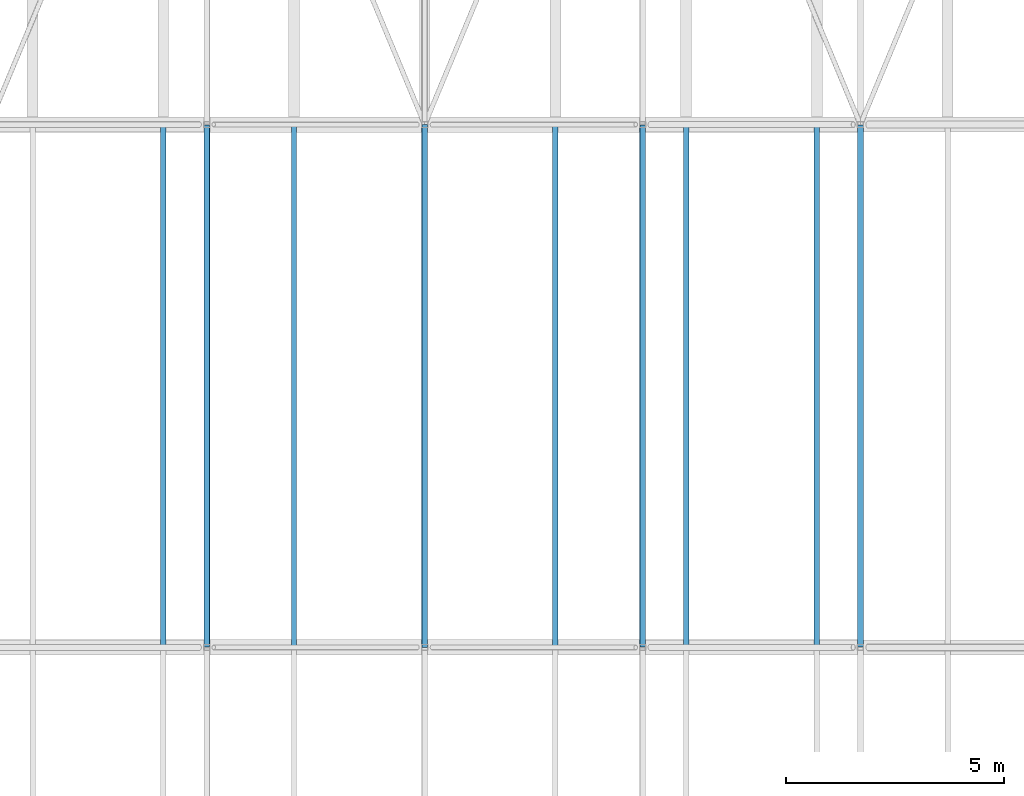
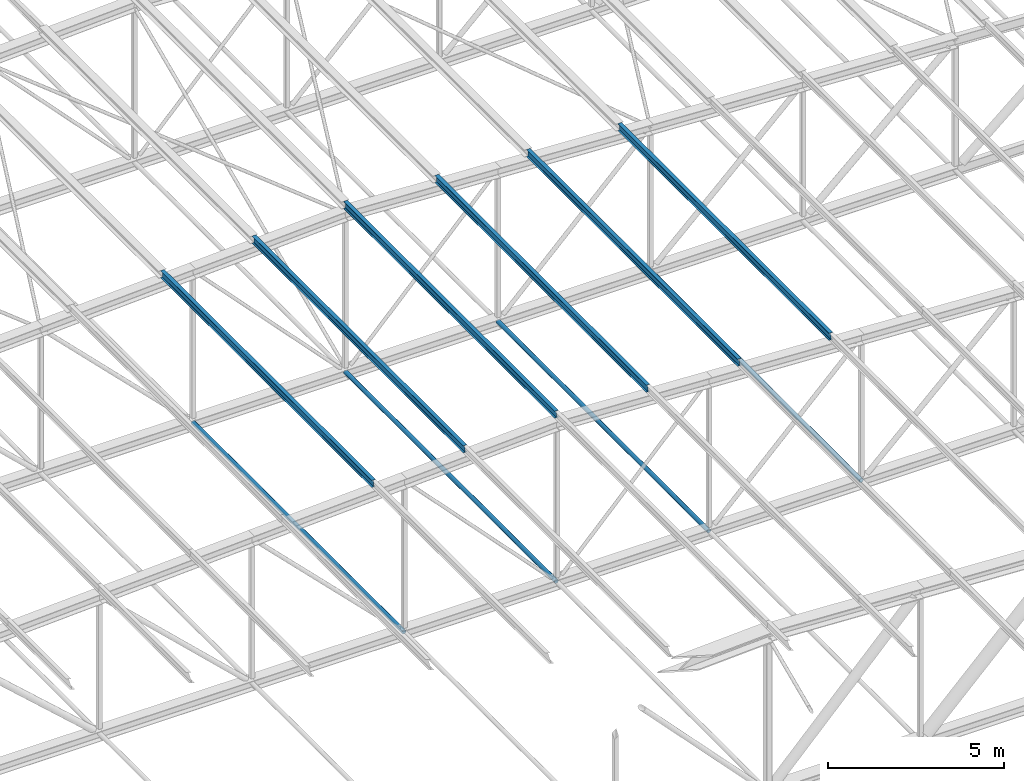
# One storey, part 95 of 156: 10 members.
"""IFC4 building model written with IfcOpenShell, lengths in metres."""

from ifc_helpers import new_model, si_unit, direction, frame, origin, origin_2d, place, context, subcontext, project, spatial, hollow_circle, i_section, extrude, material, material_profile, profile_set, type_object, element, save


model = new_model("IFC4")

# Units and contexts
model_context = context("Model", 3, precision=1e-05, world=origin(), true_north=direction((0.0, 1.0)))
body_context = subcontext(model_context, "Body", "Model", "MODEL_VIEW")
ifc_project = project(units=[si_unit("LENGTHUNIT", "METRE"), si_unit("AREAUNIT", "SQUARE_METRE"), si_unit("VOLUMEUNIT", "CUBIC_METRE"), si_unit("PLANEANGLEUNIT", "RADIAN"), si_unit("MASSUNIT", "GRAM", prefix="KILO")], contexts=[model_context])

# Site, building, storey
site_placement = place(None, origin())
site = spatial("IfcSite", under=ifc_project, at=site_placement, CompositionType="ELEMENT")
building_placement = place(site_placement, origin())
building = spatial("IfcBuilding", under=site, at=building_placement, Name="Lilac Gate Convention Centre", CompositionType="ELEMENT")
storey_placement = place(building_placement, frame((0.0, 0.0, 17.0)))
storey = spatial("IfcBuildingStorey", under=building, at=storey_placement, Name="L03", CompositionType="ELEMENT", Elevation=17.0)

# Members
ifc_material = material(Name="Steel Q355B", Category="steel")
ifc_material_profile_1 = material_profile(ifc_material, hollow_circle(Radius=0.06982421875, WallThickness=0.0048828125, at=origin_2d()), Name="CHS139.7x5")
ifc_profile_set_1 = profile_set([ifc_material_profile_1], Name="Steel Q355B")
member_type_1 = type_object("IfcMemberType", Name="Bottom chord tie CHS139.7x5", PredefinedType="STRUT", material=ifc_profile_set_1)
for number, where, z_axis, x_axis, name in (
    (1, (55.0, 162.009521484375, 0.0), (0.0, 1.0, 0.0), (-1.0, 0.0, 0.0), "ST1 tie bay 12 node 6"),
    (2, (60.0, 162.009521484375, 0.0), (0.0, 1.0, 0.0), (-1.0, 0.0, 0.0), "ST1 tie bay 12 node 7"),
    (3, (65.0, 162.009521484375, 0.0), (0.0, 1.0, 0.0), (-1.0, 0.0, 0.0), "ST1 tie bay 12 node 8"),
):
    element("IfcMember", number, at=place(storey_placement, frame(where, z_axis=z_axis, x_axis=x_axis)), inside=storey, type_object=member_type_1, Name=name, PredefinedType="STRUT", context=body_context, shape_type="SweptSolid", body=[
        extrude(hollow_circle(Radius=0.06982421875, WallThickness=0.0048828125, at=origin_2d()), origin(), (0.0, 0.0, 1.0), 11.98095703125),
    ])
member_placement = place(storey_placement, frame((70.0, 162.006103515625, 0.0), z_axis=(0.0, 1.0, 0.0), x_axis=(-1.0, 0.0, 0.0)))
element("IfcMember", 4, at=member_placement, inside=storey, type_object=member_type_1, Name="ST1 tie bay 12 node 9", PredefinedType="STRUT", context=body_context, shape_type="SweptSolid", body=[
    extrude(hollow_circle(Radius=0.06982421875, WallThickness=0.0048828125, at=origin_2d()), origin(), (0.0, 0.0, 1.0), 11.98779296875),
])
ifc_material_profile_2 = material_profile(ifc_material, i_section(OverallWidth=0.125, OverallDepth=0.25, WebThickness=0.006103515625, FlangeThickness=0.009033203125, FilletRadius=0.008056640625, at=origin_2d()), Name="HN250x125x6x9")
ifc_profile_set_2 = profile_set([ifc_material_profile_2], Name="Steel Q355B")
member_type_2 = type_object("IfcMemberType", Name="Roof purlin HN250x125x6x9", PredefinedType="PURLIN", material=ifc_profile_set_2)
for number, where, z_axis, x_axis, name in (
    (5, (54.0, 162.0, 5.500244140625), (0.0, 1.0, 0.0), (-1.0, 0.0, 0.0), "PU2 purlin bay 12 line 9"),
    (6, (57.0, 162.0, 5.650146484375), (0.0, 1.0, 0.0), (-1.0, 0.0, 0.0), "PU2 purlin bay 12 line 10"),
    (7, (60.0, 162.0, 5.80029296875), (0.0, 1.0, 0.0), (-1.0, 0.0, 0.0), "PU2 purlin bay 12 line 11"),
    (8, (63.0, 162.0, 5.650146484375), (0.0, 1.0, 0.0), (-1.0, 0.0, 0.0), "PU2 purlin bay 12 line 12"),
    (9, (66.0, 162.0, 5.500244140625), (0.0, 1.0, 0.0), (-1.0, 0.0, 0.0), "PU2 purlin bay 12 line 13"),
    (10, (69.0, 162.0, 5.35009765625), (0.0, 1.0, 0.0), (-1.0, 0.0, 0.0), "PU2 purlin bay 12 line 14"),
):
    element("IfcMember", number, at=place(storey_placement, frame(where, z_axis=z_axis, x_axis=x_axis)), inside=storey, type_object=member_type_2, Name=name, PredefinedType="PURLIN", context=body_context, shape_type="SweptSolid", body=[
        extrude(i_section(OverallWidth=0.125, OverallDepth=0.25, WebThickness=0.006103515625, FlangeThickness=0.009033203125, FilletRadius=0.008056640625, at=origin_2d()), origin(), (0.0, 0.0, 1.0), 12.0),
    ])

save(model, "model.ifc")
